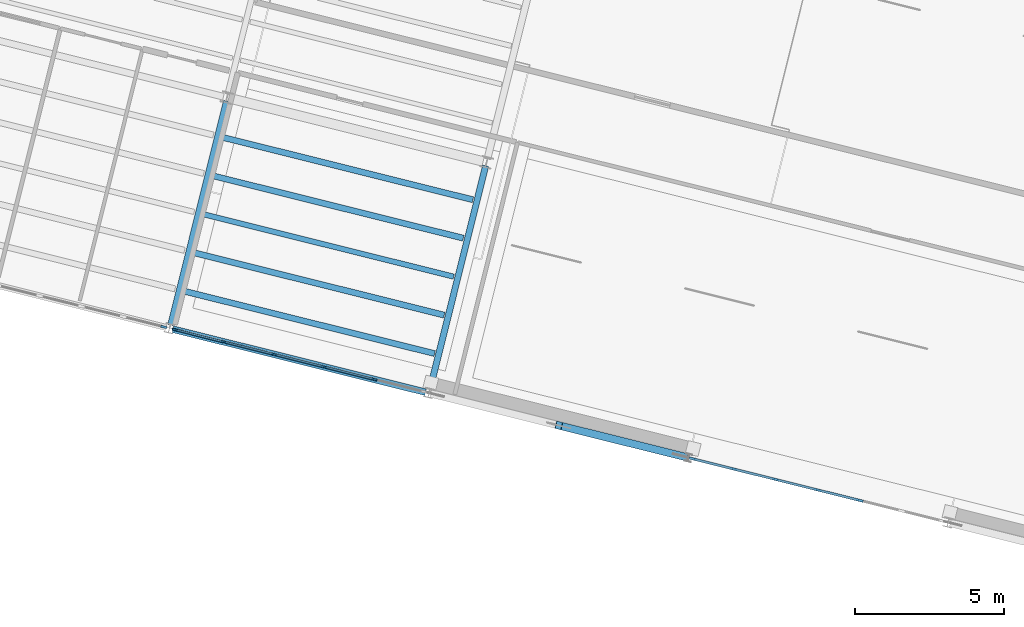
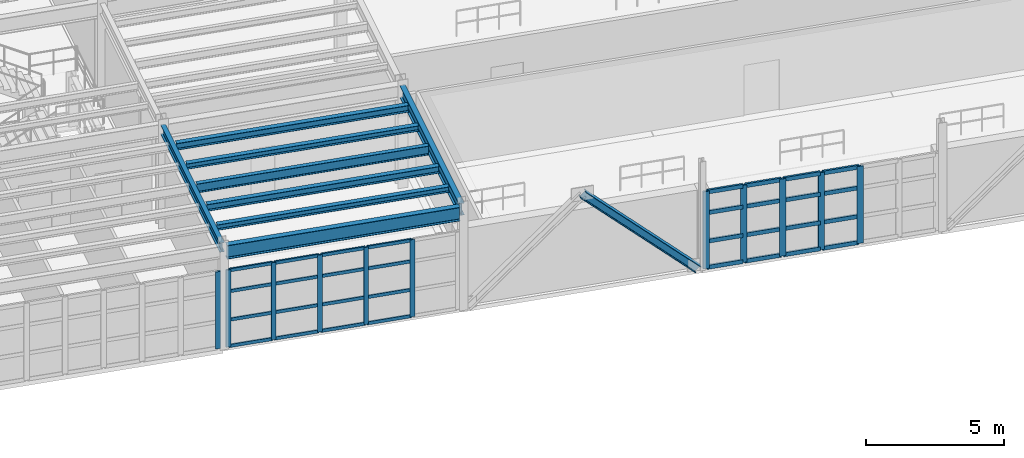
# One storey, part 15 of 59: 44 members, 8 beams, 3 elements without a shape of their own.
"""IFC4 building model written with IfcOpenShell, lengths in metres."""

from ifc_helpers import new_model, si_unit, direction, frame, origin, origin_2d, place, context, subcontext, project, spatial, rectangle, i_section, extrude, material, layer, layer_set, material_profile, profile_set, type_object, element, aggregate, save


model = new_model("IFC4")

# Units and contexts
model_context = context("Model", 3, precision=1e-05, world=origin(), true_north=direction((0.0, 1.0)))
body_context = subcontext(model_context, "Body", "Model", "MODEL_VIEW")
ifc_project = project(units=[si_unit("LENGTHUNIT", "METRE"), si_unit("AREAUNIT", "SQUARE_METRE"), si_unit("VOLUMEUNIT", "CUBIC_METRE"), si_unit("PLANEANGLEUNIT", "RADIAN"), si_unit("MASSUNIT", "GRAM", prefix="KILO")], contexts=[model_context])

# Site, building, storey
site_placement = place(None, origin())
site = spatial("IfcSite", under=ifc_project, at=site_placement, CompositionType="ELEMENT")
building_placement = place(site_placement, origin())
building = spatial("IfcBuilding", under=site, at=building_placement, Name="Vireo Bluff Cable Station", CompositionType="ELEMENT")
storey_placement = place(building_placement, frame((0.0, 0.0, 14.39990234375)))
storey = spatial("IfcBuildingStorey", under=building, at=storey_placement, Name="L03", CompositionType="ELEMENT", Elevation=14.39990234375)

# Beam
ifc_material_1 = material(Name="Steel ASTM A992 Gr. 50", Category="steel")
ifc_material_profile_1 = material_profile(ifc_material_1, i_section(OverallWidth=0.180908203125, OverallDepth=0.4169921875, WebThickness=0.010986328125, FlangeThickness=0.018310546875, FilletRadius=0.010009765625, at=origin_2d()), Name="W16X57")
ifc_profile_set_1 = profile_set([ifc_material_profile_1], Name="Steel ASTM A992 Gr. 50")
beam_type_1 = type_object("IfcBeamType", Name="BM-W16X57", PredefinedType="BEAM", material=ifc_profile_set_1)
beam_1_placement = place(storey_placement, frame((71.494384765625, 33.761962890625, 4.33154296875), z_axis=(0.241913731831, 0.970297761696, 0.0), x_axis=(-0.970297761696, 0.241913731831, 0.0)))
element("IfcBeam", 1, at=beam_1_placement, inside=storey, type_object=beam_type_1, Name="V1 L03 beam 290", PredefinedType="BEAM", context=body_context, shape_type="SweptSolid", body=[
    extrude(i_section(OverallWidth=0.180908203125, OverallDepth=0.4169921875, WebThickness=0.010986328125, FlangeThickness=0.018310546875, FilletRadius=0.010009765625, at=origin_2d()), origin(), (0.0, 0.0, 1.0), 7.759765625),
])

# Member
ifc_material_profile_2 = material_profile(ifc_material_1, i_section(OverallWidth=0.25390625, OverallDepth=0.31005859375, WebThickness=0.009033203125, FlangeThickness=0.016357421875, FilletRadius=0.010986328125, at=origin_2d()), Name="W12X58")
ifc_profile_set_2 = profile_set([ifc_material_profile_2], Name="Steel ASTM A992 Gr. 50")
member_type_1 = type_object("IfcMemberType", Name="BRC-05", PredefinedType="BRACE", material=ifc_profile_set_2)
member_1_placement = place(storey_placement, frame((88.775390625, 29.32958984375, 0.0400390625), z_axis=(-0.702089162406, 0.175023676639, 0.690244536847), x_axis=(-0.241887009228, -0.970304423759, 0.0)))
element("IfcMember", 2, at=member_1_placement, inside=storey, type_object=member_type_1, Name="V1 L03 concentric brace 22R", PredefinedType="BRACE", context=body_context, shape_type="SweptSolid", body=[
    extrude(i_section(OverallWidth=0.25390625, OverallDepth=0.31005859375, WebThickness=0.009033203125, FlangeThickness=0.016357421875, FilletRadius=0.010986328125, at=origin_2d()), origin(), (0.0, 0.0, 1.0), 5.998046875),
])

# Curtain wall, members
ifc_material_2 = material(Name="Anodized Aluminium 6063-T6", Category="aluminium")
ifc_layer_1 = layer(ifc_material_2, 0.179931640625, Name="Anodized Aluminium 6063-T6")
ifc_layer_set_1 = layer_set([ifc_layer_1], Name="Anodized Aluminium 6063-T6")
curtain_wall_type_1 = type_object("IfcCurtainWallType", Name="CW-UNIT-1650", PredefinedType="USERDEFINED", material=ifc_layer_set_1)
curtain_wall_1_placement = place(storey_placement, origin())
curtain_wall_1 = element("IfcCurtainWall", 3, at=curtain_wall_1_placement, inside=storey, type_object=curtain_wall_type_1, Name="V1 L03 south curtain wall CW-020", ObjectType="UNITISED CURTAIN WALL", PredefinedType="USERDEFINED")
ifc_material_profile_3 = material_profile(ifc_material_2, rectangle(XDim=0.06494140625, YDim=0.179931640625, at=origin_2d()), Name="ALU-M-65X180")
ifc_profile_set_3 = profile_set([ifc_material_profile_3], Name="Anodized Aluminium 6063-T6")
member_type_2 = type_object("IfcMemberType", Name="CWM-01", PredefinedType="MULLION", material=ifc_profile_set_3)
member_2_placement = place(storey_placement, frame((78.36083984375, 31.926025390625, 0.0), z_axis=(0.0, 0.0, 1.0), x_axis=(-0.241921845845, -0.970295738681, 0.0)))
member_2 = element("IfcMember", 4, at=member_2_placement, type_object=member_type_2, Name="CW-020 mullion 2", PredefinedType="MULLION", context=body_context, shape_type="SweptSolid", body=[
    extrude(rectangle(XDim=0.06494140625, YDim=0.179931640625, at=origin_2d()), origin(), (0.0, 0.0, 1.0), 3.400146484375),
])
member_3_placement = place(storey_placement, frame((76.6748046875, 32.346435546875, 0.0), z_axis=(0.0, 0.0, 1.0), x_axis=(-0.241921845845, -0.970295738681, 0.0)))
member_3 = element("IfcMember", 5, at=member_3_placement, type_object=member_type_2, Name="CW-020 mullion 3", PredefinedType="MULLION", context=body_context, shape_type="SweptSolid", body=[
    extrude(rectangle(XDim=0.06494140625, YDim=0.179931640625, at=origin_2d()), origin(), (0.0, 0.0, 1.0), 3.400146484375),
])
member_4_placement = place(storey_placement, frame((74.988525390625, 32.766845703125, 0.0), z_axis=(0.0, 0.0, 1.0), x_axis=(-0.241921845845, -0.970295738681, 0.0)))
member_4 = element("IfcMember", 6, at=member_4_placement, type_object=member_type_2, Name="CW-020 mullion 4", PredefinedType="MULLION", context=body_context, shape_type="SweptSolid", body=[
    extrude(rectangle(XDim=0.06494140625, YDim=0.179931640625, at=origin_2d()), origin(), (0.0, 0.0, 1.0), 3.400146484375),
])
member_5_placement = place(storey_placement, frame((73.302490234375, 33.187255859375, 0.0), z_axis=(0.0, 0.0, 1.0), x_axis=(-0.241921845845, -0.970295738681, 0.0)))
member_5 = element("IfcMember", 7, at=member_5_placement, type_object=member_type_2, Name="CW-020 mullion 5", PredefinedType="MULLION", context=body_context, shape_type="SweptSolid", body=[
    extrude(rectangle(XDim=0.06494140625, YDim=0.179931640625, at=origin_2d()), origin(), (0.0, 0.0, 1.0), 3.400146484375),
])
member_6_placement = place(storey_placement, frame((71.647705078125, 33.599853515625, 0.0), z_axis=(0.0, 0.0, 1.0), x_axis=(-0.241921845845, -0.970295738681, 0.0)))
member_6 = element("IfcMember", 8, at=member_6_placement, type_object=member_type_2, Name="CW-020 mullion 6", PredefinedType="MULLION", context=body_context, shape_type="SweptSolid", body=[
    extrude(rectangle(XDim=0.06494140625, YDim=0.179931640625, at=origin_2d()), origin(), (0.0, 0.0, 1.0), 3.400146484375),
])

# Curtain wall, member
ifc_layer_2 = layer(ifc_material_2, 0.179931640625, Name="Anodized Aluminium 6063-T6")
ifc_layer_set_2 = layer_set([ifc_layer_2], Name="Anodized Aluminium 6063-T6")
curtain_wall_type_2 = type_object("IfcCurtainWallType", Name="CW-UNIT-1400", PredefinedType="USERDEFINED", material=ifc_layer_set_2)
curtain_wall_2_placement = place(storey_placement, origin())
curtain_wall_2 = element("IfcCurtainWall", 9, at=curtain_wall_2_placement, inside=storey, type_object=curtain_wall_type_2, Name="V1 L03 south curtain wall CW-021", ObjectType="UNITISED CURTAIN WALL", PredefinedType="USERDEFINED")
ifc_material_profile_4 = material_profile(ifc_material_2, rectangle(XDim=0.074951171875, YDim=0.2099609375, at=origin_2d()), Name="ALU-M-75X210")
ifc_profile_set_4 = profile_set([ifc_material_profile_4], Name="Anodized Aluminium 6063-T6")
member_type_3 = type_object("IfcMemberType", Name="CWM-02", PredefinedType="MULLION", material=ifc_profile_set_4)
member_7_placement = place(storey_placement, frame((71.278076171875, 33.692138671875, 0.0), z_axis=(0.0, 0.0, 1.0), x_axis=(-0.241921872856, -0.970295731947, 0.0)))
member_7 = element("IfcMember", 10, at=member_7_placement, type_object=member_type_3, Name="CW-021 mullion 1", PredefinedType="MULLION", context=body_context, shape_type="SweptSolid", body=[
    extrude(rectangle(XDim=0.074951171875, YDim=0.2099609375, at=origin_2d()), origin(), (0.0, 0.0, 1.0), 3.400146484375),
])
aggregate(curtain_wall_2, [member_7])

# Curtain wall, members
ifc_layer_3 = layer(ifc_material_2, 0.179931640625, Name="Anodized Aluminium 6063-T6")
ifc_layer_set_3 = layer_set([ifc_layer_3], Name="Anodized Aluminium 6063-T6")
curtain_wall_type_3 = type_object("IfcCurtainWallType", Name="CW-UNIT-1500", PredefinedType="USERDEFINED", material=ifc_layer_set_3)
curtain_wall_3_placement = place(storey_placement, origin())
curtain_wall_3 = element("IfcCurtainWall", 11, at=curtain_wall_3_placement, inside=storey, type_object=curtain_wall_type_3, Name="V1 L03 south curtain wall CW-019", ObjectType="UNITISED CURTAIN WALL", PredefinedType="USERDEFINED")
ifc_material_profile_5 = material_profile(ifc_material_2, rectangle(XDim=0.080078125, YDim=0.239990234375, at=origin_2d()), Name="ALU-M-80X240")
ifc_profile_set_5 = profile_set([ifc_material_profile_5], Name="Anodized Aluminium 6063-T6")
member_type_4 = type_object("IfcMemberType", Name="CWM-04", PredefinedType="MULLION", material=ifc_profile_set_5)
member_8_placement = place(storey_placement, frame((94.685546875, 27.85595703125, 0.0), z_axis=(0.0, 0.0, 1.0), x_axis=(-0.241921854719, -0.970295736469, 0.0)))
member_8 = element("IfcMember", 12, at=member_8_placement, type_object=member_type_4, Name="CW-019 mullion 3", PredefinedType="MULLION", context=body_context, shape_type="SweptSolid", body=[
    extrude(rectangle(XDim=0.080078125, YDim=0.239990234375, at=origin_2d()), origin(), (0.0, 0.0, 1.0), 3.400146484375),
])
member_9_placement = place(storey_placement, frame((93.27197265625, 28.20849609375, 0.0), z_axis=(0.0, 0.0, 1.0), x_axis=(-0.241921854719, -0.970295736469, 0.0)))
member_9 = element("IfcMember", 13, at=member_9_placement, type_object=member_type_4, Name="CW-019 mullion 4", PredefinedType="MULLION", context=body_context, shape_type="SweptSolid", body=[
    extrude(rectangle(XDim=0.080078125, YDim=0.239990234375, at=origin_2d()), origin(), (0.0, 0.0, 1.0), 3.400146484375),
])
member_10_placement = place(storey_placement, frame((91.8583984375, 28.560791015625, 0.0), z_axis=(0.0, 0.0, 1.0), x_axis=(-0.241921854719, -0.970295736469, 0.0)))
member_10 = element("IfcMember", 14, at=member_10_placement, type_object=member_type_4, Name="CW-019 mullion 5", PredefinedType="MULLION", context=body_context, shape_type="SweptSolid", body=[
    extrude(rectangle(XDim=0.080078125, YDim=0.239990234375, at=origin_2d()), origin(), (0.0, 0.0, 1.0), 3.400146484375),
])
member_11_placement = place(storey_placement, frame((90.445068359375, 28.913330078125, 0.0), z_axis=(0.0, 0.0, 1.0), x_axis=(-0.241921854719, -0.970295736469, 0.0)))
member_11 = element("IfcMember", 15, at=member_11_placement, type_object=member_type_4, Name="CW-019 mullion 6", PredefinedType="MULLION", context=body_context, shape_type="SweptSolid", body=[
    extrude(rectangle(XDim=0.080078125, YDim=0.239990234375, at=origin_2d()), origin(), (0.0, 0.0, 1.0), 3.400146484375),
])
member_12_placement = place(storey_placement, frame((89.0703125, 29.255859375, 0.0), z_axis=(0.0, 0.0, 1.0), x_axis=(-0.241921854719, -0.970295736469, 0.0)))
member_12 = element("IfcMember", 16, at=member_12_placement, type_object=member_type_4, Name="CW-019 mullion 7", PredefinedType="MULLION", context=body_context, shape_type="SweptSolid", body=[
    extrude(rectangle(XDim=0.080078125, YDim=0.239990234375, at=origin_2d()), origin(), (0.0, 0.0, 1.0), 3.400146484375),
])

# Member
ifc_material_profile_6 = material_profile(ifc_material_2, rectangle(XDim=0.06494140625, YDim=0.139892578125, at=origin_2d()), Name="ALU-T-65X140")
ifc_profile_set_6 = profile_set([ifc_material_profile_6], Name="Anodized Aluminium 6063-T6")
member_type_5 = type_object("IfcMemberType", Name="CWT-01", PredefinedType="USERDEFINED", material=ifc_profile_set_6)
member_13_placement = place(storey_placement, frame((78.329345703125, 31.93408203125, 0.03271484375), z_axis=(-0.970313969676, 0.241848713561, 0.0), x_axis=(-0.241848713561, -0.970313969676, 0.0)))
member_13 = element("IfcMember", 17, at=member_13_placement, type_object=member_type_5, Name="CW-020 transom 2.1", ObjectType="TRANSOM", PredefinedType="USERDEFINED", context=body_context, shape_type="SweptSolid", body=[
    extrude(rectangle(XDim=0.06494140625, YDim=0.139892578125, at=origin_2d()), origin(), (0.0, 0.0, 1.0), 1.672607421875),
])

member_14_placement = place(storey_placement, frame((78.329345703125, 31.93408203125, 1.190185546875), z_axis=(-0.970313969676, 0.241848713561, 0.0), x_axis=(-0.241848713561, -0.970313969676, 0.0)))
member_14 = element("IfcMember", 18, at=member_14_placement, type_object=member_type_5, Name="CW-020 transom 2.2", ObjectType="TRANSOM", PredefinedType="USERDEFINED", context=body_context, shape_type="SweptSolid", body=[
    extrude(rectangle(XDim=0.06494140625, YDim=0.139892578125, at=origin_2d()), origin(), (0.0, 0.0, 1.0), 1.672607421875),
])

member_15_placement = place(storey_placement, frame((78.329345703125, 31.93408203125, 2.447998046875), z_axis=(-0.970313969676, 0.241848713561, 0.0), x_axis=(-0.241848713561, -0.970313969676, 0.0)))
member_15 = element("IfcMember", 19, at=member_15_placement, type_object=member_type_5, Name="CW-020 transom 2.3", ObjectType="TRANSOM", PredefinedType="USERDEFINED", context=body_context, shape_type="SweptSolid", body=[
    extrude(rectangle(XDim=0.06494140625, YDim=0.139892578125, at=origin_2d()), origin(), (0.0, 0.0, 1.0), 1.672607421875),
])

member_16_placement = place(storey_placement, frame((78.329345703125, 31.93408203125, 3.36767578125), z_axis=(-0.970313969676, 0.241848713561, 0.0), x_axis=(-0.241848713561, -0.970313969676, 0.0)))
member_16 = element("IfcMember", 20, at=member_16_placement, type_object=member_type_5, Name="CW-020 transom 2.4", ObjectType="TRANSOM", PredefinedType="USERDEFINED", context=body_context, shape_type="SweptSolid", body=[
    extrude(rectangle(XDim=0.06494140625, YDim=0.139892578125, at=origin_2d()), origin(), (0.0, 0.0, 1.0), 1.672607421875),
])

member_17_placement = place(storey_placement, frame((76.643310546875, 32.3544921875, 0.03271484375), z_axis=(-0.970322504933, 0.241814466938, 0.0), x_axis=(-0.241814466938, -0.970322504933, 0.0)))
member_17 = element("IfcMember", 21, at=member_17_placement, type_object=member_type_5, Name="CW-020 transom 3.1", ObjectType="TRANSOM", PredefinedType="USERDEFINED", context=body_context, shape_type="SweptSolid", body=[
    extrude(rectangle(XDim=0.06494140625, YDim=0.139892578125, at=origin_2d()), origin(), (0.0, 0.0, 1.0), 1.6728515625),
])

member_18_placement = place(storey_placement, frame((76.643310546875, 32.3544921875, 1.190185546875), z_axis=(-0.970322504933, 0.241814466938, 0.0), x_axis=(-0.241814466938, -0.970322504933, 0.0)))
member_18 = element("IfcMember", 22, at=member_18_placement, type_object=member_type_5, Name="CW-020 transom 3.2", ObjectType="TRANSOM", PredefinedType="USERDEFINED", context=body_context, shape_type="SweptSolid", body=[
    extrude(rectangle(XDim=0.06494140625, YDim=0.139892578125, at=origin_2d()), origin(), (0.0, 0.0, 1.0), 1.6728515625),
])

member_19_placement = place(storey_placement, frame((76.643310546875, 32.3544921875, 2.447998046875), z_axis=(-0.970322504933, 0.241814466938, 0.0), x_axis=(-0.241814466938, -0.970322504933, 0.0)))
member_19 = element("IfcMember", 23, at=member_19_placement, type_object=member_type_5, Name="CW-020 transom 3.3", ObjectType="TRANSOM", PredefinedType="USERDEFINED", context=body_context, shape_type="SweptSolid", body=[
    extrude(rectangle(XDim=0.06494140625, YDim=0.139892578125, at=origin_2d()), origin(), (0.0, 0.0, 1.0), 1.6728515625),
])

member_20_placement = place(storey_placement, frame((76.643310546875, 32.3544921875, 3.36767578125), z_axis=(-0.970322504933, 0.241814466938, 0.0), x_axis=(-0.241814466938, -0.970322504933, 0.0)))
member_20 = element("IfcMember", 24, at=member_20_placement, type_object=member_type_5, Name="CW-020 transom 3.4", ObjectType="TRANSOM", PredefinedType="USERDEFINED", context=body_context, shape_type="SweptSolid", body=[
    extrude(rectangle(XDim=0.06494140625, YDim=0.139892578125, at=origin_2d()), origin(), (0.0, 0.0, 1.0), 1.6728515625),
])

member_21_placement = place(storey_placement, frame((74.95703125, 32.77490234375, 0.03271484375), z_axis=(-0.970313969676, 0.241848713561, 0.0), x_axis=(-0.241848713561, -0.970313969676, 0.0)))
member_21 = element("IfcMember", 25, at=member_21_placement, type_object=member_type_5, Name="CW-020 transom 4.1", ObjectType="TRANSOM", PredefinedType="USERDEFINED", context=body_context, shape_type="SweptSolid", body=[
    extrude(rectangle(XDim=0.06494140625, YDim=0.139892578125, at=origin_2d()), origin(), (0.0, 0.0, 1.0), 1.672607421875),
])

member_22_placement = place(storey_placement, frame((74.95703125, 32.77490234375, 1.190185546875), z_axis=(-0.970313969676, 0.241848713561, 0.0), x_axis=(-0.241848713561, -0.970313969676, 0.0)))
member_22 = element("IfcMember", 26, at=member_22_placement, type_object=member_type_5, Name="CW-020 transom 4.2", ObjectType="TRANSOM", PredefinedType="USERDEFINED", context=body_context, shape_type="SweptSolid", body=[
    extrude(rectangle(XDim=0.06494140625, YDim=0.139892578125, at=origin_2d()), origin(), (0.0, 0.0, 1.0), 1.672607421875),
])

member_23_placement = place(storey_placement, frame((74.95703125, 32.77490234375, 2.447998046875), z_axis=(-0.970313969676, 0.241848713561, 0.0), x_axis=(-0.241848713561, -0.970313969676, 0.0)))
member_23 = element("IfcMember", 27, at=member_23_placement, type_object=member_type_5, Name="CW-020 transom 4.3", ObjectType="TRANSOM", PredefinedType="USERDEFINED", context=body_context, shape_type="SweptSolid", body=[
    extrude(rectangle(XDim=0.06494140625, YDim=0.139892578125, at=origin_2d()), origin(), (0.0, 0.0, 1.0), 1.672607421875),
])

member_24_placement = place(storey_placement, frame((74.95703125, 32.77490234375, 3.36767578125), z_axis=(-0.970313969676, 0.241848713561, 0.0), x_axis=(-0.241848713561, -0.970313969676, 0.0)))
member_24 = element("IfcMember", 28, at=member_24_placement, type_object=member_type_5, Name="CW-020 transom 4.4", ObjectType="TRANSOM", PredefinedType="USERDEFINED", context=body_context, shape_type="SweptSolid", body=[
    extrude(rectangle(XDim=0.06494140625, YDim=0.139892578125, at=origin_2d()), origin(), (0.0, 0.0, 1.0), 1.672607421875),
])

member_25_placement = place(storey_placement, frame((73.270751953125, 33.1953125, 0.03271484375), z_axis=(-0.970308626073, 0.24187015146, 0.0), x_axis=(-0.24187015146, -0.970308626073, 0.0)))
member_25 = element("IfcMember", 29, at=member_25_placement, type_object=member_type_5, Name="CW-020 transom 5.1", ObjectType="TRANSOM", PredefinedType="USERDEFINED", context=body_context, shape_type="SweptSolid", body=[
    extrude(rectangle(XDim=0.06494140625, YDim=0.139892578125, at=origin_2d()), origin(), (0.0, 0.0, 1.0), 1.64013671875),
])

member_26_placement = place(storey_placement, frame((73.270751953125, 33.1953125, 1.190185546875), z_axis=(-0.970308626073, 0.24187015146, 0.0), x_axis=(-0.24187015146, -0.970308626073, 0.0)))
member_26 = element("IfcMember", 30, at=member_26_placement, type_object=member_type_5, Name="CW-020 transom 5.2", ObjectType="TRANSOM", PredefinedType="USERDEFINED", context=body_context, shape_type="SweptSolid", body=[
    extrude(rectangle(XDim=0.06494140625, YDim=0.139892578125, at=origin_2d()), origin(), (0.0, 0.0, 1.0), 1.64013671875),
])

member_27_placement = place(storey_placement, frame((73.270751953125, 33.1953125, 2.447998046875), z_axis=(-0.970308626073, 0.24187015146, 0.0), x_axis=(-0.24187015146, -0.970308626073, 0.0)))
member_27 = element("IfcMember", 31, at=member_27_placement, type_object=member_type_5, Name="CW-020 transom 5.3", ObjectType="TRANSOM", PredefinedType="USERDEFINED", context=body_context, shape_type="SweptSolid", body=[
    extrude(rectangle(XDim=0.06494140625, YDim=0.139892578125, at=origin_2d()), origin(), (0.0, 0.0, 1.0), 1.64013671875),
])

member_28_placement = place(storey_placement, frame((73.270751953125, 33.1953125, 3.36767578125), z_axis=(-0.970308626073, 0.24187015146, 0.0), x_axis=(-0.24187015146, -0.970308626073, 0.0)))
member_28 = element("IfcMember", 32, at=member_28_placement, type_object=member_type_5, Name="CW-020 transom 5.4", ObjectType="TRANSOM", PredefinedType="USERDEFINED", context=body_context, shape_type="SweptSolid", body=[
    extrude(rectangle(XDim=0.06494140625, YDim=0.139892578125, at=origin_2d()), origin(), (0.0, 0.0, 1.0), 1.64013671875),
])

aggregate(curtain_wall_1, [member_2, member_3, member_4, member_5, member_6, member_13, member_14, member_15, member_16, member_17, member_18, member_19, member_20, member_21, member_22, member_23, member_24, member_25, member_26, member_27, member_28])

ifc_material_profile_7 = material_profile(ifc_material_2, rectangle(XDim=0.080078125, YDim=0.175048828125, at=origin_2d()), Name="ALU-T-80X175")
ifc_profile_set_7 = profile_set([ifc_material_profile_7], Name="Anodized Aluminium 6063-T6")
member_type_6 = type_object("IfcMemberType", Name="CWT-04", PredefinedType="USERDEFINED", material=ifc_profile_set_7)
member_29_placement = place(storey_placement, frame((94.646728515625, 27.86572265625, 0.0400390625), z_axis=(-0.970309162305, 0.241868000253, 0.0), x_axis=(-0.241868000253, -0.970309162305, 0.0)))
member_29 = element("IfcMember", 33, at=member_29_placement, type_object=member_type_6, Name="CW-019 transom 3.1", ObjectType="TRANSOM", PredefinedType="USERDEFINED", context=body_context, shape_type="SweptSolid", body=[
    extrude(rectangle(XDim=0.080078125, YDim=0.175048828125, at=origin_2d()), origin(), (0.0, 0.0, 1.0), 1.376708984375),
])

member_30_placement = place(storey_placement, frame((94.646728515625, 27.86572265625, 1.190185546875), z_axis=(-0.970309162305, 0.241868000253, 0.0), x_axis=(-0.241868000253, -0.970309162305, 0.0)))
member_30 = element("IfcMember", 34, at=member_30_placement, type_object=member_type_6, Name="CW-019 transom 3.2", ObjectType="TRANSOM", PredefinedType="USERDEFINED", context=body_context, shape_type="SweptSolid", body=[
    extrude(rectangle(XDim=0.080078125, YDim=0.175048828125, at=origin_2d()), origin(), (0.0, 0.0, 1.0), 1.376708984375),
])

member_31_placement = place(storey_placement, frame((94.646728515625, 27.86572265625, 2.447998046875), z_axis=(-0.970309162305, 0.241868000253, 0.0), x_axis=(-0.241868000253, -0.970309162305, 0.0)))
member_31 = element("IfcMember", 35, at=member_31_placement, type_object=member_type_6, Name="CW-019 transom 3.3", ObjectType="TRANSOM", PredefinedType="USERDEFINED", context=body_context, shape_type="SweptSolid", body=[
    extrude(rectangle(XDim=0.080078125, YDim=0.175048828125, at=origin_2d()), origin(), (0.0, 0.0, 1.0), 1.376708984375),
])

member_32_placement = place(storey_placement, frame((94.646728515625, 27.86572265625, 3.360107421875), z_axis=(-0.970309162305, 0.241868000253, 0.0), x_axis=(-0.241868000253, -0.970309162305, 0.0)))
member_32 = element("IfcMember", 36, at=member_32_placement, type_object=member_type_6, Name="CW-019 transom 3.4", ObjectType="TRANSOM", PredefinedType="USERDEFINED", context=body_context, shape_type="SweptSolid", body=[
    extrude(rectangle(XDim=0.080078125, YDim=0.175048828125, at=origin_2d()), origin(), (0.0, 0.0, 1.0), 1.376708984375),
])

member_33_placement = place(storey_placement, frame((93.233154296875, 28.218017578125, 0.0400390625), z_axis=(-0.970309162305, 0.241868000253, 0.0), x_axis=(-0.241868000253, -0.970309162305, 0.0)))
member_33 = element("IfcMember", 37, at=member_33_placement, type_object=member_type_6, Name="CW-019 transom 4.1", ObjectType="TRANSOM", PredefinedType="USERDEFINED", context=body_context, shape_type="SweptSolid", body=[
    extrude(rectangle(XDim=0.080078125, YDim=0.175048828125, at=origin_2d()), origin(), (0.0, 0.0, 1.0), 1.376708984375),
])

member_34_placement = place(storey_placement, frame((93.233154296875, 28.218017578125, 1.190185546875), z_axis=(-0.970309162305, 0.241868000253, 0.0), x_axis=(-0.241868000253, -0.970309162305, 0.0)))
member_34 = element("IfcMember", 38, at=member_34_placement, type_object=member_type_6, Name="CW-019 transom 4.2", ObjectType="TRANSOM", PredefinedType="USERDEFINED", context=body_context, shape_type="SweptSolid", body=[
    extrude(rectangle(XDim=0.080078125, YDim=0.175048828125, at=origin_2d()), origin(), (0.0, 0.0, 1.0), 1.376708984375),
])

member_35_placement = place(storey_placement, frame((93.233154296875, 28.218017578125, 2.447998046875), z_axis=(-0.970309162305, 0.241868000253, 0.0), x_axis=(-0.241868000253, -0.970309162305, 0.0)))
member_35 = element("IfcMember", 39, at=member_35_placement, type_object=member_type_6, Name="CW-019 transom 4.3", ObjectType="TRANSOM", PredefinedType="USERDEFINED", context=body_context, shape_type="SweptSolid", body=[
    extrude(rectangle(XDim=0.080078125, YDim=0.175048828125, at=origin_2d()), origin(), (0.0, 0.0, 1.0), 1.376708984375),
])

member_36_placement = place(storey_placement, frame((93.233154296875, 28.218017578125, 3.360107421875), z_axis=(-0.970309162305, 0.241868000253, 0.0), x_axis=(-0.241868000253, -0.970309162305, 0.0)))
member_36 = element("IfcMember", 40, at=member_36_placement, type_object=member_type_6, Name="CW-019 transom 4.4", ObjectType="TRANSOM", PredefinedType="USERDEFINED", context=body_context, shape_type="SweptSolid", body=[
    extrude(rectangle(XDim=0.080078125, YDim=0.175048828125, at=origin_2d()), origin(), (0.0, 0.0, 1.0), 1.376708984375),
])

member_37_placement = place(storey_placement, frame((91.819580078125, 28.570556640625, 0.0400390625), z_axis=(-0.970298786234, 0.24190962245, 0.0), x_axis=(-0.24190962245, -0.970298786234, 0.0)))
member_37 = element("IfcMember", 41, at=member_37_placement, type_object=member_type_6, Name="CW-019 transom 5.1", ObjectType="TRANSOM", PredefinedType="USERDEFINED", context=body_context, shape_type="SweptSolid", body=[
    extrude(rectangle(XDim=0.080078125, YDim=0.175048828125, at=origin_2d()), origin(), (0.0, 0.0, 1.0), 1.37646484375),
])

member_38_placement = place(storey_placement, frame((91.819580078125, 28.570556640625, 1.190185546875), z_axis=(-0.970298786234, 0.24190962245, 0.0), x_axis=(-0.24190962245, -0.970298786234, 0.0)))
member_38 = element("IfcMember", 42, at=member_38_placement, type_object=member_type_6, Name="CW-019 transom 5.2", ObjectType="TRANSOM", PredefinedType="USERDEFINED", context=body_context, shape_type="SweptSolid", body=[
    extrude(rectangle(XDim=0.080078125, YDim=0.175048828125, at=origin_2d()), origin(), (0.0, 0.0, 1.0), 1.37646484375),
])

member_39_placement = place(storey_placement, frame((91.819580078125, 28.570556640625, 2.447998046875), z_axis=(-0.970298786234, 0.24190962245, 0.0), x_axis=(-0.24190962245, -0.970298786234, 0.0)))
member_39 = element("IfcMember", 43, at=member_39_placement, type_object=member_type_6, Name="CW-019 transom 5.3", ObjectType="TRANSOM", PredefinedType="USERDEFINED", context=body_context, shape_type="SweptSolid", body=[
    extrude(rectangle(XDim=0.080078125, YDim=0.175048828125, at=origin_2d()), origin(), (0.0, 0.0, 1.0), 1.37646484375),
])

member_40_placement = place(storey_placement, frame((91.819580078125, 28.570556640625, 3.360107421875), z_axis=(-0.970298786234, 0.24190962245, 0.0), x_axis=(-0.24190962245, -0.970298786234, 0.0)))
member_40 = element("IfcMember", 44, at=member_40_placement, type_object=member_type_6, Name="CW-019 transom 5.4", ObjectType="TRANSOM", PredefinedType="USERDEFINED", context=body_context, shape_type="SweptSolid", body=[
    extrude(rectangle(XDim=0.080078125, YDim=0.175048828125, at=origin_2d()), origin(), (0.0, 0.0, 1.0), 1.37646484375),
])

member_41_placement = place(storey_placement, frame((90.40625, 28.9228515625, 0.0400390625), z_axis=(-0.970281993063, 0.241976969849, 0.0), x_axis=(-0.241976969849, -0.970281993063, 0.0)))
member_41 = element("IfcMember", 45, at=member_41_placement, type_object=member_type_6, Name="CW-019 transom 6.1", ObjectType="TRANSOM", PredefinedType="USERDEFINED", context=body_context, shape_type="SweptSolid", body=[
    extrude(rectangle(XDim=0.080078125, YDim=0.175048828125, at=origin_2d()), origin(), (0.0, 0.0, 1.0), 1.3369140625),
])

member_42_placement = place(storey_placement, frame((90.40625, 28.9228515625, 1.190185546875), z_axis=(-0.970281993063, 0.241976969849, 0.0), x_axis=(-0.241976969849, -0.970281993063, 0.0)))
member_42 = element("IfcMember", 46, at=member_42_placement, type_object=member_type_6, Name="CW-019 transom 6.2", ObjectType="TRANSOM", PredefinedType="USERDEFINED", context=body_context, shape_type="SweptSolid", body=[
    extrude(rectangle(XDim=0.080078125, YDim=0.175048828125, at=origin_2d()), origin(), (0.0, 0.0, 1.0), 1.3369140625),
])

member_43_placement = place(storey_placement, frame((90.40625, 28.9228515625, 2.447998046875), z_axis=(-0.970281993063, 0.241976969849, 0.0), x_axis=(-0.241976969849, -0.970281993063, 0.0)))
member_43 = element("IfcMember", 47, at=member_43_placement, type_object=member_type_6, Name="CW-019 transom 6.3", ObjectType="TRANSOM", PredefinedType="USERDEFINED", context=body_context, shape_type="SweptSolid", body=[
    extrude(rectangle(XDim=0.080078125, YDim=0.175048828125, at=origin_2d()), origin(), (0.0, 0.0, 1.0), 1.3369140625),
])

member_44_placement = place(storey_placement, frame((90.40625, 28.9228515625, 3.360107421875), z_axis=(-0.970281993063, 0.241976969849, 0.0), x_axis=(-0.241976969849, -0.970281993063, 0.0)))
member_44 = element("IfcMember", 48, at=member_44_placement, type_object=member_type_6, Name="CW-019 transom 6.4", ObjectType="TRANSOM", PredefinedType="USERDEFINED", context=body_context, shape_type="SweptSolid", body=[
    extrude(rectangle(XDim=0.080078125, YDim=0.175048828125, at=origin_2d()), origin(), (0.0, 0.0, 1.0), 1.3369140625),
])

aggregate(curtain_wall_3, [member_8, member_9, member_10, member_11, member_12, member_29, member_30, member_31, member_32, member_33, member_34, member_35, member_36, member_37, member_38, member_39, member_40, member_41, member_42, member_43, member_44])

# Beams
ifc_material_profile_8 = material_profile(ifc_material_1, i_section(OverallWidth=0.201904296875, OverallDepth=0.2470703125, WebThickness=0.00732421875, FlangeThickness=0.010986328125, FilletRadius=0.009033203125, at=origin_2d()), Name="W10X33")
ifc_profile_set_8 = profile_set([ifc_material_profile_8], Name="Steel ASTM A992 Gr. 50")
beam_type_2 = type_object("IfcBeamType", Name="JST-W10X33", PredefinedType="JOIST", material=ifc_profile_set_8)
for number, where, z_axis, x_axis, name in (
    (49, (71.923828125, 34.9052734375, 4.41650390625), (0.970293828661, -0.24192950639, 0.0), (0.24192950639, 0.970293828661, 0.0), "V1 L03 composite joist 318"),
    (50, (72.891357421875, 38.786376953125, 4.41650390625), (0.970300400641, -0.241903146974, 0.0), (0.241903146974, 0.970300400641, 0.0), "V1 L03 composite joist 321"),
):
    element("IfcBeam", number, at=place(storey_placement, frame(where, z_axis=z_axis, x_axis=x_axis)), inside=storey, type_object=beam_type_2, Name=name, PredefinedType="JOIST", context=body_context, shape_type="SweptSolid", body=[
        extrude(i_section(OverallWidth=0.201904296875, OverallDepth=0.2470703125, WebThickness=0.00732421875, FlangeThickness=0.010986328125, FilletRadius=0.009033203125, at=origin_2d()), origin(), (0.0, 0.0, 1.0), 8.719970703125),
    ])
ifc_material_profile_9 = material_profile(ifc_material_1, i_section(OverallWidth=0.202880859375, OverallDepth=0.302978515625, WebThickness=0.007568359375, FlangeThickness=0.01318359375, FilletRadius=0.010009765625, at=origin_2d()), Name="W12X40")
ifc_profile_set_9 = profile_set([ifc_material_profile_9], Name="Steel ASTM A992 Gr. 50")
beam_type_3 = type_object("IfcBeamType", Name="JST-W12X40", PredefinedType="JOIST", material=ifc_profile_set_9)
beam_2_placement = place(storey_placement, frame((72.246337890625, 36.198974609375, 4.388671875), z_axis=(0.970293828661, -0.24192950639, 0.0), x_axis=(0.24192950639, 0.970293828661, 0.0)))
element("IfcBeam", 51, at=beam_2_placement, inside=storey, type_object=beam_type_3, Name="V1 L03 composite joist 319", PredefinedType="JOIST", context=body_context, shape_type="SweptSolid", body=[
    extrude(i_section(OverallWidth=0.202880859375, OverallDepth=0.302978515625, WebThickness=0.007568359375, FlangeThickness=0.01318359375, FilletRadius=0.010009765625, at=origin_2d()), origin(), (0.0, 0.0, 1.0), 8.719970703125),
])
beam_3_placement = place(storey_placement, frame((73.2138671875, 40.080078125, 4.388671875), z_axis=(0.97030203894, -0.241896575481, 0.0), x_axis=(0.241896575481, 0.97030203894, 0.0)))
element("IfcBeam", 52, at=beam_3_placement, inside=storey, type_object=beam_type_3, Name="V1 L03 composite joist 322", PredefinedType="JOIST", context=body_context, shape_type="SweptSolid", body=[
    extrude(i_section(OverallWidth=0.202880859375, OverallDepth=0.302978515625, WebThickness=0.007568359375, FlangeThickness=0.01318359375, FilletRadius=0.010009765625, at=origin_2d()), origin(), (0.0, 0.0, 1.0), 8.72021484375),
])
ifc_material_profile_10 = material_profile(ifc_material_1, i_section(OverallWidth=0.177978515625, OverallDepth=0.404052734375, WebThickness=0.007568359375, FlangeThickness=0.010986328125, FilletRadius=0.010009765625, at=origin_2d()), Name="W16X36")
ifc_profile_set_10 = profile_set([ifc_material_profile_10], Name="Steel ASTM A992 Gr. 50")
beam_type_4 = type_object("IfcBeamType", Name="JST-W16X36", PredefinedType="JOIST", material=ifc_profile_set_10)
beam_4_placement = place(storey_placement, frame((72.56884765625, 37.49267578125, 4.338134765625), z_axis=(0.970293828661, -0.24192950639, 0.0), x_axis=(0.24192950639, 0.970293828661, 0.0)))
element("IfcBeam", 53, at=beam_4_placement, inside=storey, type_object=beam_type_4, Name="V1 L03 composite joist 320", PredefinedType="JOIST", context=body_context, shape_type="SweptSolid", body=[
    extrude(i_section(OverallWidth=0.177978515625, OverallDepth=0.404052734375, WebThickness=0.007568359375, FlangeThickness=0.010986328125, FilletRadius=0.010009765625, at=origin_2d()), origin(), (0.0, 0.0, 1.0), 8.719970703125),
])
ifc_material_profile_11 = material_profile(ifc_material_1, i_section(OverallWidth=0.2099609375, OverallDepth=0.535888671875, WebThickness=0.010986328125, FlangeThickness=0.017333984375, FilletRadius=0.012939453125, at=origin_2d()), Name="W21X68")
ifc_profile_set_11 = profile_set([ifc_material_profile_11], Name="Steel ASTM A992 Gr. 50")
beam_type_5 = type_object("IfcBeamType", Name="SPN-W21X68", PredefinedType="SPANDREL", material=ifc_profile_set_11)
beam_5_placement = place(storey_placement, frame((80.22705078125, 31.58447265625, 4.272216796875), z_axis=(0.241906346953, 0.970299602857, 0.0), x_axis=(-0.970299602857, 0.241906346953, 0.0)))
element("IfcBeam", 54, at=beam_5_placement, inside=storey, type_object=beam_type_5, Name="V1 L03 spandrel 293", PredefinedType="SPANDREL", context=body_context, shape_type="SweptSolid", body=[
    extrude(i_section(OverallWidth=0.2099609375, OverallDepth=0.535888671875, WebThickness=0.010986328125, FlangeThickness=0.017333984375, FilletRadius=0.012939453125, at=origin_2d()), origin(), (0.0, 0.0, 1.0), 7.760009765625),
])
ifc_material_profile_12 = material_profile(ifc_material_1, i_section(OverallWidth=0.22802734375, OverallDepth=0.60693359375, WebThickness=0.01123046875, FlangeThickness=0.017333984375, FilletRadius=0.012939453125, at=origin_2d()), Name="W24X76")
ifc_profile_set_12 = profile_set([ifc_material_profile_12], Name="Steel ASTM A992 Gr. 50")
beam_type_6 = type_object("IfcBeamType", Name="SPN-W24X76", PredefinedType="SPANDREL", material=ifc_profile_set_12)
beam_6_placement = place(storey_placement, frame((71.581787109375, 33.616455078125, 4.236572265625), z_axis=(0.970291502693, -0.241938834838, 0.0), x_axis=(0.241938834838, 0.970291502693, 0.0)))
element("IfcBeam", 55, at=beam_6_placement, inside=storey, type_object=beam_type_6, Name="V1 L03 spandrel 274", PredefinedType="SPANDREL", context=body_context, shape_type="SweptSolid", body=[
    extrude(i_section(OverallWidth=0.22802734375, OverallDepth=0.60693359375, WebThickness=0.01123046875, FlangeThickness=0.017333984375, FilletRadius=0.012939453125, at=origin_2d()), origin(), (0.0, 0.0, 1.0), 8.760009765625),
])

save(model, "model.ifc")
